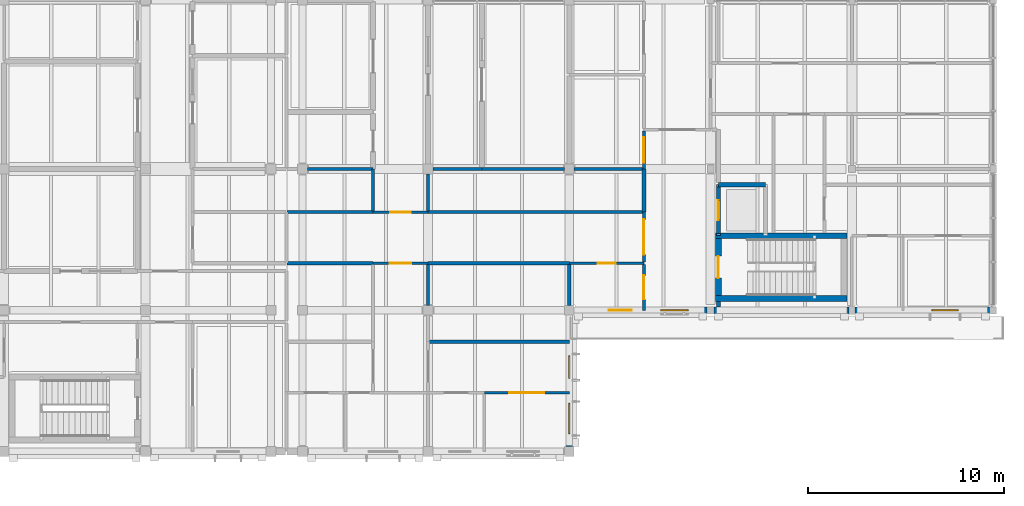
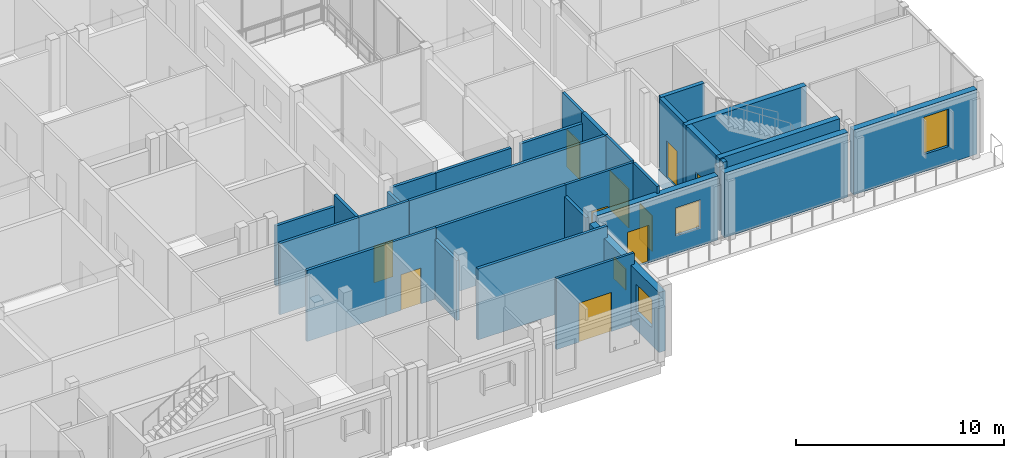
# One storey, part 118 of 146: 32 walls, 10 doors, 4 windows, 14 openings.
"""IFC4 building model written with IfcOpenShell, lengths in metres."""

from ifc_helpers import new_model, si_unit, direction, frame, frame_2d, origin, place, context, subcontext, project, spatial, rectangle, extrude, material, layer, layer_set, type_object, element, fill, save


model = new_model("IFC4")

# Units and contexts
model_context = context("Model", 3, precision=1e-05, world=origin(), true_north=direction((0.0, 1.0)))
body_context = subcontext(model_context, "Body", "Model", "MODEL_VIEW")
ifc_project = project(units=[si_unit("LENGTHUNIT", "METRE"), si_unit("AREAUNIT", "SQUARE_METRE"), si_unit("VOLUMEUNIT", "CUBIC_METRE"), si_unit("PLANEANGLEUNIT", "RADIAN"), si_unit("MASSUNIT", "GRAM", prefix="KILO")], contexts=[model_context])

# Site, building, storey
site_placement = place(None, origin())
site = spatial("IfcSite", under=ifc_project, at=site_placement, CompositionType="ELEMENT")
building_placement = place(site_placement, origin())
building = spatial("IfcBuilding", under=site, at=building_placement, Name="Hawrajan Terrace Health Centre", CompositionType="ELEMENT")
storey_placement = place(building_placement, frame((0.0, 0.0, 4.5)))
storey = spatial("IfcBuildingStorey", under=building, at=storey_placement, Name="L01", CompositionType="ELEMENT", Elevation=4.5)

# Wall, opening, door
ifc_material_1 = material(Name="Gypsum board on acoustic stud framing")
ifc_layer_1 = layer(ifc_material_1, 0.139892578125)
ifc_layer_set_1 = layer_set([ifc_layer_1], Name="Gypsum board on acoustic stud framing")
wall_type_1 = type_object("IfcWallType", Name="ClinicalAcousticWall_140", PredefinedType="PARTITIONING", material=ifc_layer_set_1)
wall_1_placement = place(storey_placement, frame((133.800048828125, 13.800048828125, 0.0), z_axis=(0.0, 0.0, 1.0), x_axis=(1.0, 0.0, 0.0)))
wall_1 = element("IfcWall", 1, at=wall_1_placement, inside=storey, type_object=wall_type_1, Name="Interior wall IW-L01-0761", PredefinedType="PARTITIONING", context=body_context, shape_type="SweptSolid", body=[
    extrude(rectangle(XDim=2.800048828125, YDim=0.139892578125, at=frame_2d((1.39990234375, 0.0))), origin(), (0.0, 0.0, 1.0), 4.179931640625),
])
opening_1_placement = place(wall_1_placement, frame((0.85009765625, 0.0, 0.0)))
opening_1 = element("IfcOpeningElement", 2, at=opening_1_placement, cuts=wall_1, Name="Opening D-L01-276", PredefinedType="OPENING", context=body_context, shape_type="SweptSolid", body=[
    extrude(rectangle(XDim=1.10009765625, YDim=2.10009765625, at=frame_2d((0.550048828125, 1.050048828125))), frame((0.0, 0.079833984375, 0.0), z_axis=(0.0, -1.0, 0.0), x_axis=(1.0, 0.0, 0.0)), (0.0, 0.0, 1.0), 0.159912109375),
])
ifc_material_2 = material(Name="Hardwood acoustic clinical door leaf and frame", Category="wood")
door_type_1 = type_object("IfcDoorType", Name="ConsultDoor_1100x2100", OperationType="NOTDEFINED", PredefinedType="DOOR", material=ifc_material_2)
door_1_placement = place(opening_1_placement, origin())
door_1 = element("IfcDoor", 3, at=door_1_placement, inside=storey, type_object=door_type_1, Name="Interior door D-L01-276", OperationType="SINGLE_SWING_RIGHT", OverallHeight=2.10009765625, OverallWidth=1.10009765625, PredefinedType="DOOR", context=body_context, shape_type="SweptSolid", body=[
    extrude(rectangle(XDim=1.10009765625, YDim=2.10009765625, at=frame_2d((0.550048828125, 1.050048828125))), frame((0.0, 0.02490234375, 0.0), z_axis=(0.0, -1.0, 0.0), x_axis=(1.0, 0.0, 0.0)), (0.0, 0.0, 1.0), 0.050048828125),
])
fill(opening_1, door_1)

wall_2_placement = place(storey_placement, frame((133.800048828125, 16.39990234375, 0.0), z_axis=(0.0, 0.0, 1.0), x_axis=(1.0, 0.0, 0.0)))
wall_2 = element("IfcWall", 4, at=wall_2_placement, inside=storey, type_object=wall_type_1, Name="Interior wall IW-L01-0762", PredefinedType="PARTITIONING", context=body_context, shape_type="SweptSolid", body=[
    extrude(rectangle(XDim=2.800048828125, YDim=0.139892578125, at=frame_2d((1.39990234375, 0.0))), origin(), (0.0, 0.0, 1.0), 4.179931640625),
])
opening_2_placement = place(wall_2_placement, frame((0.8701171875, 0.0, 0.0)))
opening_2 = element("IfcOpeningElement", 5, at=opening_2_placement, cuts=wall_2, Name="Opening D-L01-277", PredefinedType="OPENING", context=body_context, shape_type="SweptSolid", body=[
    extrude(rectangle(XDim=1.06005859375, YDim=2.14990234375, at=frame_2d((0.530029296875, 1.074951171875))), frame((0.0, 0.079833984375, 0.0), z_axis=(0.0, -1.0, 0.0), x_axis=(1.0, 0.0, 0.0)), (0.0, 0.0, 1.0), 0.159912109375),
])
door_type_2 = type_object("IfcDoorType", Name="MentalHealthDoor_1060x2150", OperationType="NOTDEFINED", PredefinedType="DOOR", material=ifc_material_2)
door_2_placement = place(opening_2_placement, origin())
door_2 = element("IfcDoor", 6, at=door_2_placement, inside=storey, type_object=door_type_2, Name="Interior door D-L01-277", OperationType="SINGLE_SWING_LEFT", OverallHeight=2.14990234375, OverallWidth=1.06005859375, PredefinedType="DOOR", context=body_context, shape_type="SweptSolid", body=[
    extrude(rectangle(XDim=1.06005859375, YDim=2.14990234375, at=frame_2d((0.530029296875, 1.074951171875))), frame((0.0, 0.02490234375, 0.0), z_axis=(0.0, -1.0, 0.0), x_axis=(1.0, 0.0, 0.0)), (0.0, 0.0, 1.0), 0.050048828125),
])
fill(opening_2, door_2)

wall_3_placement = place(storey_placement, frame((139.466064453125, 7.199951171875, 0.0), z_axis=(0.0, 0.0, 1.0), x_axis=(1.0, 0.0, 0.0)))
wall_3 = element("IfcWall", 7, at=wall_3_placement, inside=storey, type_object=wall_type_1, Name="Interior wall IW-L01-0788", PredefinedType="PARTITIONING", context=body_context, shape_type="SweptSolid", body=[
    extrude(rectangle(XDim=4.333984375, YDim=0.139892578125, at=frame_2d((2.1669921875, 0.0))), origin(), (0.0, 0.0, 1.0), 4.179931640625),
])
opening_3_placement = place(wall_3_placement, frame((1.26708984375, 0.0, 0.0)))
opening_3 = element("IfcOpeningElement", 8, at=opening_3_placement, cuts=wall_3, Name="Opening D-L01-404", PredefinedType="OPENING", context=body_context, shape_type="SweptSolid", body=[
    extrude(rectangle(XDim=1.800048828125, YDim=2.300048828125, at=frame_2d((0.89990234375, 1.14990234375))), frame((0.0, 0.079833984375, 0.0), z_axis=(0.0, -1.0, 0.0), x_axis=(1.0, 0.0, 0.0)), (0.0, 0.0, 1.0), 0.159912109375),
])
door_type_3 = type_object("IfcDoorType", Name="EducationHallDoor_1800x2300", OperationType="DOUBLE_DOOR_SINGLE_SWING", PredefinedType="DOOR", material=ifc_material_2)
door_3_placement = place(opening_3_placement, origin())
door_3 = element("IfcDoor", 9, at=door_3_placement, inside=storey, type_object=door_type_3, Name="Interior door D-L01-404", OperationType="DOUBLE_DOOR_SINGLE_SWING", OverallHeight=2.300048828125, OverallWidth=1.800048828125, PredefinedType="DOOR", context=body_context, shape_type="SweptSolid", body=[
    extrude(rectangle(XDim=1.800048828125, YDim=2.300048828125, at=frame_2d((0.89990234375, 1.14990234375))), frame((0.0, 0.02490234375, 0.0), z_axis=(0.0, -1.0, 0.0), x_axis=(1.0, 0.0, 0.0)), (0.0, 0.0, 1.0), 0.050048828125),
])
fill(opening_3, door_3)

wall_4_placement = place(storey_placement, frame((143.800048828125, 13.800048828125, 0.0), z_axis=(0.0, 0.0, 1.0), x_axis=(1.0, 0.0, 0.0)))
wall_4 = element("IfcWall", 10, at=wall_4_placement, inside=storey, type_object=wall_type_1, Name="Interior wall IW-L01-0794", PredefinedType="PARTITIONING", context=body_context, shape_type="SweptSolid", body=[
    extrude(rectangle(XDim=3.800048828125, YDim=0.139892578125, at=frame_2d((1.89990234375, 0.0))), origin(), (0.0, 0.0, 1.0), 4.179931640625),
])
opening_4_placement = place(wall_4_placement, frame((1.43994140625, 0.0, 0.0)))
opening_4 = element("IfcOpeningElement", 11, at=opening_4_placement, cuts=wall_4, Name="Opening D-L01-275", PredefinedType="OPENING", context=body_context, shape_type="SweptSolid", body=[
    extrude(rectangle(XDim=0.919921875, YDim=2.10009765625, at=frame_2d((0.4599609375, 1.050048828125))), frame((0.0, 0.079833984375, 0.0), z_axis=(0.0, -1.0, 0.0), x_axis=(1.0, 0.0, 0.0)), (0.0, 0.0, 1.0), 0.159912109375),
])
door_type_4 = type_object("IfcDoorType", Name="StaffOfficeDoor_920x2100", OperationType="NOTDEFINED", PredefinedType="DOOR", material=ifc_material_2)
door_4_placement = place(opening_4_placement, origin())
door_4 = element("IfcDoor", 12, at=door_4_placement, inside=storey, type_object=door_type_4, Name="Interior door D-L01-275", OperationType="SINGLE_SWING_LEFT", OverallHeight=2.10009765625, OverallWidth=0.919921875, PredefinedType="DOOR", context=body_context, shape_type="SweptSolid", body=[
    extrude(rectangle(XDim=0.919921875, YDim=2.10009765625, at=frame_2d((0.4599609375, 1.050048828125))), frame((0.0, 0.02490234375, 0.0), z_axis=(0.0, -1.0, 0.0), x_axis=(1.0, 0.0, 0.0)), (0.0, 0.0, 1.0), 0.050048828125),
])
fill(opening_4, door_4)

wall_5_placement = place(storey_placement, frame((147.60009765625, 11.39990234375, 0.0), z_axis=(0.0, 0.0, 1.0), x_axis=(0.0, 1.0, 0.0)))
wall_5 = element("IfcWall", 13, at=wall_5_placement, inside=storey, type_object=wall_type_1, Name="Interior wall IW-L01-0805", PredefinedType="PARTITIONING", context=body_context, shape_type="SweptSolid", body=[
    extrude(rectangle(XDim=2.330078125, YDim=0.139892578125, at=frame_2d((1.1650390625, 0.0))), origin(), (0.0, 0.0, 1.0), 4.179931640625),
])
opening_5_placement = place(wall_5_placement, frame((0.554931640625, 0.0, 0.0)))
opening_5 = element("IfcOpeningElement", 14, at=opening_5_placement, cuts=wall_5, Name="Opening D-L01-255", PredefinedType="OPENING", context=body_context, shape_type="SweptSolid", body=[
    extrude(rectangle(XDim=1.219970703125, YDim=2.10009765625, at=frame_2d((0.60986328125, 1.050048828125))), frame((0.0, 0.079833984375, 0.0), z_axis=(0.0, -1.0, 0.0), x_axis=(1.0, 0.0, 0.0)), (0.0, 0.0, 1.0), 0.159912109375),
])
door_type_5 = type_object("IfcDoorType", Name="ConsultDoor_1220x2100", OperationType="NOTDEFINED", PredefinedType="DOOR", material=ifc_material_2)
door_5_placement = place(opening_5_placement, origin())
door_5 = element("IfcDoor", 15, at=door_5_placement, inside=storey, type_object=door_type_5, Name="Interior door D-L01-255", OperationType="SINGLE_SWING_LEFT", OverallHeight=2.10009765625, OverallWidth=1.219970703125, PredefinedType="DOOR", context=body_context, shape_type="SweptSolid", body=[
    extrude(rectangle(XDim=1.219970703125, YDim=2.10009765625, at=frame_2d((0.60986328125, 1.050048828125))), frame((0.0, 0.02490234375, 0.0), z_axis=(0.0, -1.0, 0.0), x_axis=(1.0, 0.0, 0.0)), (0.0, 0.0, 1.0), 0.050048828125),
])
fill(opening_5, door_5)

wall_6_placement = place(storey_placement, frame((147.60009765625, 13.8701171875, 0.0), z_axis=(0.0, 0.0, 1.0), x_axis=(0.0, 1.0, 0.0)))
wall_6 = element("IfcWall", 16, at=wall_6_placement, inside=storey, type_object=wall_type_1, Name="Interior wall IW-L01-0806", PredefinedType="PARTITIONING", context=body_context, shape_type="SweptSolid", body=[
    extrude(rectangle(XDim=2.52978515625, YDim=0.139892578125, at=frame_2d((1.264892578125, 0.0))), origin(), (0.0, 0.0, 1.0), 4.179931640625),
])
opening_6_placement = place(wall_6_placement, frame((0.364990234375, 0.0, 0.0)))
opening_6 = element("IfcOpeningElement", 17, at=opening_6_placement, cuts=wall_6, Name="Opening D-L01-253", PredefinedType="OPENING", context=body_context, shape_type="SweptSolid", body=[
    extrude(rectangle(XDim=1.800048828125, YDim=2.300048828125, at=frame_2d((0.89990234375, 1.14990234375))), frame((0.0, 0.079833984375, 0.0), z_axis=(0.0, -1.0, 0.0), x_axis=(1.0, 0.0, 0.0)), (0.0, 0.0, 1.0), 0.159912109375),
])
door_6_placement = place(opening_6_placement, origin())
door_6 = element("IfcDoor", 18, at=door_6_placement, inside=storey, type_object=door_type_3, Name="Interior door D-L01-253", OperationType="DOUBLE_DOOR_SINGLE_SWING", OverallHeight=2.300048828125, OverallWidth=1.800048828125, PredefinedType="DOOR", context=body_context, shape_type="SweptSolid", body=[
    extrude(rectangle(XDim=1.800048828125, YDim=2.300048828125, at=frame_2d((0.89990234375, 1.14990234375))), frame((0.0, 0.02490234375, 0.0), z_axis=(0.0, -1.0, 0.0), x_axis=(1.0, 0.0, 0.0)), (0.0, 0.0, 1.0), 0.050048828125),
])
fill(opening_6, door_6)

wall_7_placement = place(storey_placement, frame((147.60009765625, 18.60009765625, 0.0), z_axis=(0.0, 0.0, 1.0), x_axis=(0.0, 1.0, 0.0)))
wall_7 = element("IfcWall", 19, at=wall_7_placement, inside=storey, type_object=wall_type_1, Name="Interior wall IW-L01-0807", PredefinedType="PARTITIONING", context=body_context, shape_type="SweptSolid", body=[
    extrude(rectangle(XDim=1.929931640625, YDim=0.139892578125, at=frame_2d((0.96484375, 0.0))), origin(), (0.0, 0.0, 1.0), 4.179931640625),
])
opening_7_placement = place(wall_7_placement, frame((0.324951171875, 0.0, 0.0)))
opening_7 = element("IfcOpeningElement", 20, at=opening_7_placement, cuts=wall_7, Name="Opening D-L01-413", PredefinedType="OPENING", context=body_context, shape_type="SweptSolid", body=[
    extrude(rectangle(XDim=1.280029296875, YDim=2.199951171875, at=frame_2d((0.64013671875, 1.10009765625))), frame((0.0, 0.079833984375, 0.0), z_axis=(0.0, -1.0, 0.0), x_axis=(1.0, 0.0, 0.0)), (0.0, 0.0, 1.0), 0.159912109375),
])
door_type_6 = type_object("IfcDoorType", Name="ExamSuiteDoor_1280x2200", OperationType="NOTDEFINED", PredefinedType="DOOR", material=ifc_material_2)
door_7_placement = place(opening_7_placement, origin())
door_7 = element("IfcDoor", 21, at=door_7_placement, inside=storey, type_object=door_type_6, Name="Interior door D-L01-413", OperationType="SINGLE_SWING_LEFT", OverallHeight=2.199951171875, OverallWidth=1.280029296875, PredefinedType="DOOR", context=body_context, shape_type="SweptSolid", body=[
    extrude(rectangle(XDim=1.280029296875, YDim=2.199951171875, at=frame_2d((0.64013671875, 1.10009765625))), frame((0.0, 0.02490234375, 0.0), z_axis=(0.0, -1.0, 0.0), x_axis=(1.0, 0.0, 0.0)), (0.0, 0.0, 1.0), 0.050048828125),
])
fill(opening_7, door_7)

# Wall, openings, window, door
ifc_material_3 = material(Name="Precast concrete C40/50", Category="concrete")
ifc_layer_2 = layer(ifc_material_3, 0.340087890625)
ifc_layer_set_2 = layer_set([ifc_layer_2], Name="Precast concrete C40/50")
wall_type_2 = type_object("IfcWallType", Name="CoralAshlarWall_340", PredefinedType="SOLIDWALL", material=ifc_layer_set_2)
wall_8_placement = place(storey_placement, frame((144.050048828125, 11.39990234375, 0.0), z_axis=(0.0, 0.0, 1.0), x_axis=(1.0, 0.0, 0.0)))
wall_8 = element("IfcWall", 22, at=wall_8_placement, inside=storey, type_object=wall_type_2, Name="Exterior wall EW-L01-H18-01-1", PredefinedType="SOLIDWALL", context=body_context, shape_type="SweptSolid", body=[
    extrude(rectangle(XDim=6.77001953125, YDim=0.340087890625, at=frame_2d((3.385009765625, 0.0))), origin(), (0.0, 0.0, 1.0), 3.760009765625),
])
opening_8_placement = place(wall_8_placement, frame((1.75, 0.0, 0.0)))
opening_8 = element("IfcOpeningElement", 23, at=opening_8_placement, cuts=wall_8, Name="Opening D-L01-E016", PredefinedType="OPENING", context=body_context, shape_type="SweptSolid", body=[
    extrude(rectangle(XDim=1.179931640625, YDim=2.199951171875, at=frame_2d((0.58984375, 1.10009765625))), frame((0.0, 0.179931640625, 0.0), z_axis=(0.0, -1.0, 0.0), x_axis=(1.0, 0.0, 0.0)), (0.0, 0.0, 1.0), 0.360107421875),
])
opening_9_placement = place(wall_8_placement, frame((4.39990234375, 0.0, 1.050048828125)))
opening_9 = element("IfcOpeningElement", 24, at=opening_9_placement, cuts=wall_8, Name="Opening W-L01-102", PredefinedType="OPENING", context=body_context, shape_type="SweptSolid", body=[
    extrude(rectangle(XDim=1.39990234375, YDim=1.64990234375, at=frame_2d((0.699951171875, 0.824951171875))), frame((0.0, 0.179931640625, 0.0), z_axis=(0.0, -1.0, 0.0), x_axis=(1.0, 0.0, 0.0)), (0.0, 0.0, 1.0), 0.360107421875),
])
ifc_material_4 = material(Name="Anodized bronze frame with double low-E glazing", Category="glass")
window_type_1 = type_object("IfcWindowType", Name="FacadeWindow_1400x1650", PartitioningType="SINGLE_PANEL", PredefinedType="WINDOW", material=ifc_material_4)
window_1_placement = place(opening_9_placement, origin())
window_1 = element("IfcWindow", 25, at=window_1_placement, inside=storey, type_object=window_type_1, Name="Window W-L01-102", OverallHeight=1.64990234375, OverallWidth=1.39990234375, PartitioningType="SINGLE_PANEL", PredefinedType="WINDOW", context=body_context, shape_type="SweptSolid", body=[
    extrude(rectangle(XDim=1.39990234375, YDim=1.64990234375, at=frame_2d((0.699951171875, 0.824951171875))), frame((0.0, 0.030029296875, 0.0), z_axis=(0.0, -1.0, 0.0), x_axis=(1.0, 0.0, 0.0)), (0.0, 0.0, 1.0), 0.06005859375),
])
fill(opening_9, window_1)
ifc_material_5 = material(Name="Anodized bronze thermally broken fire-rated glazed door")
door_type_7 = type_object("IfcDoorType", Name="GardenExitDoor_1180x2200", OperationType="NOTDEFINED", PredefinedType="DOOR", material=ifc_material_5)
door_8_placement = place(opening_8_placement, frame((1.179931640625, 0.0, 0.0), z_axis=(0.0, 0.0, 1.0), x_axis=(-1.0, 0.0, 0.0)))
door_8 = element("IfcDoor", 26, at=door_8_placement, inside=storey, type_object=door_type_7, Name="Pavilion South Garden Exit Door D-L01-E016", OperationType="SINGLE_SWING_RIGHT", OverallHeight=2.199951171875, OverallWidth=1.179931640625, PredefinedType="DOOR", context=body_context, shape_type="SweptSolid", body=[
    extrude(rectangle(XDim=1.179931640625, YDim=2.199951171875, at=frame_2d((0.58984375, 1.10009765625))), frame((0.0, 0.02490234375, 0.0), z_axis=(0.0, -1.0, 0.0), x_axis=(1.0, 0.0, 0.0)), (0.0, 0.0, 1.0), 0.050048828125),
])
fill(opening_8, door_8)

# Wall, opening, window
wall_9_placement = place(storey_placement, frame((158.360107421875, 11.39990234375, 0.0), z_axis=(0.0, 0.0, 1.0), x_axis=(1.0, 0.0, 0.0)))
wall_9 = element("IfcWall", 27, at=wall_9_placement, inside=storey, type_object=wall_type_2, Name="Exterior wall EW-L01-H20-01-1", PredefinedType="SOLIDWALL", context=body_context, shape_type="SweptSolid", body=[
    extrude(rectangle(XDim=6.85986328125, YDim=0.340087890625, at=frame_2d((3.429931640625, 0.0))), origin(), (0.0, 0.0, 1.0), 3.800048828125),
])
opening_10_placement = place(wall_9_placement, frame((3.9150390625, 0.0, 1.0)))
opening_10 = element("IfcOpeningElement", 28, at=opening_10_placement, cuts=wall_9, Name="Opening W-L01-107", PredefinedType="OPENING", context=body_context, shape_type="SweptSolid", body=[
    extrude(rectangle(XDim=1.35009765625, YDim=2.199951171875, at=frame_2d((0.675048828125, 1.10009765625))), frame((0.0, 0.179931640625, 0.0), z_axis=(0.0, -1.0, 0.0), x_axis=(1.0, 0.0, 0.0)), (0.0, 0.0, 1.0), 0.360107421875),
])
window_type_2 = type_object("IfcWindowType", Name="FacadeWindow_1350x2200", PartitioningType="SINGLE_PANEL", PredefinedType="WINDOW", material=ifc_material_4)
window_2_placement = place(opening_10_placement, origin())
window_2 = element("IfcWindow", 29, at=window_2_placement, inside=storey, type_object=window_type_2, Name="Window W-L01-107", OverallHeight=2.199951171875, OverallWidth=1.35009765625, PartitioningType="SINGLE_PANEL", PredefinedType="WINDOW", context=body_context, shape_type="SweptSolid", body=[
    extrude(rectangle(XDim=1.35009765625, YDim=2.199951171875, at=frame_2d((0.675048828125, 1.10009765625))), frame((0.0, 0.030029296875, 0.0), z_axis=(0.0, -1.0, 0.0), x_axis=(1.0, 0.0, 0.0)), (0.0, 0.0, 1.0), 0.06005859375),
])
fill(opening_10, window_2)

# Wall, openings, windows
ifc_layer_3 = layer(ifc_material_3, 0.360107421875)
ifc_layer_set_3 = layer_set([ifc_layer_3], Name="Precast concrete C40/50")
wall_type_3 = type_object("IfcWallType", Name="CoralPodiumWall_360", PredefinedType="SOLIDWALL", material=ifc_layer_set_3)
wall_10_placement = place(storey_placement, frame((143.800048828125, 4.449951171875, 0.0), z_axis=(0.0, 0.0, 1.0), x_axis=(0.0, 1.0, 0.0)))
wall_10 = element("IfcWall", 30, at=wall_10_placement, inside=storey, type_object=wall_type_3, Name="Exterior wall EW-L01-V18-00-1", PredefinedType="SOLIDWALL", context=body_context, shape_type="SweptSolid", body=[
    extrude(rectangle(XDim=6.699951171875, YDim=0.360107421875, at=frame_2d((3.35009765625, 0.0))), origin(), (0.0, 0.0, 1.0), 3.52001953125),
])
opening_11_placement = place(wall_10_placement, frame((0.6650390625, 0.0, 1.050048828125)))
opening_11 = element("IfcOpeningElement", 31, at=opening_11_placement, cuts=wall_10, Name="Opening W-L01-097", PredefinedType="OPENING", context=body_context, shape_type="SweptSolid", body=[
    extrude(rectangle(XDim=1.5400390625, YDim=1.64990234375, at=frame_2d((0.77001953125, 0.824951171875))), frame((0.0, 0.18994140625, 0.0), z_axis=(0.0, -1.0, 0.0), x_axis=(1.0, 0.0, 0.0)), (0.0, 0.0, 1.0), 0.380126953125),
])
opening_12_placement = place(wall_10_placement, frame((3.47509765625, 0.0, 1.5)))
opening_12 = element("IfcOpeningElement", 32, at=opening_12_placement, cuts=wall_10, Name="Opening W-L01-098", PredefinedType="OPENING", context=body_context, shape_type="SweptSolid", body=[
    extrude(rectangle(XDim=1.14990234375, YDim=1.25, at=frame_2d((0.574951171875, 0.625))), frame((0.0, 0.18994140625, 0.0), z_axis=(0.0, -1.0, 0.0), x_axis=(1.0, 0.0, 0.0)), (0.0, 0.0, 1.0), 0.380126953125),
])
window_type_3 = type_object("IfcWindowType", Name="FacadeWindow_1150x1250", PartitioningType="SINGLE_PANEL", PredefinedType="WINDOW", material=ifc_material_4)
window_3_placement = place(opening_12_placement, origin())
window_3 = element("IfcWindow", 33, at=window_3_placement, inside=storey, type_object=window_type_3, Name="Window W-L01-098", OverallHeight=1.25, OverallWidth=1.14990234375, PartitioningType="SINGLE_PANEL", PredefinedType="WINDOW", context=body_context, shape_type="SweptSolid", body=[
    extrude(rectangle(XDim=1.14990234375, YDim=1.25, at=frame_2d((0.574951171875, 0.625))), frame((0.0, 0.030029296875, 0.0), z_axis=(0.0, -1.0, 0.0), x_axis=(1.0, 0.0, 0.0)), (0.0, 0.0, 1.0), 0.06005859375),
])
fill(opening_12, window_3)
window_type_4 = type_object("IfcWindowType", Name="FacadeWindow_1540x1650", PartitioningType="DOUBLE_PANEL_VERTICAL", PredefinedType="WINDOW", material=ifc_material_4)
window_4_placement = place(opening_11_placement, origin())
window_4 = element("IfcWindow", 34, at=window_4_placement, inside=storey, type_object=window_type_4, Name="Window W-L01-097", OverallHeight=1.64990234375, OverallWidth=1.5400390625, PartitioningType="DOUBLE_PANEL_VERTICAL", PredefinedType="WINDOW", context=body_context, shape_type="SweptSolid", body=[
    extrude(rectangle(XDim=1.5400390625, YDim=1.64990234375, at=frame_2d((0.77001953125, 0.824951171875))), frame((0.0, 0.030029296875, 0.0), z_axis=(0.0, -1.0, 0.0), x_axis=(1.0, 0.0, 0.0)), (0.0, 0.0, 1.0), 0.06005859375),
])
fill(opening_11, window_4)

# Walls
wall_11_placement = place(storey_placement, frame((151.179931640625, 11.39990234375, 0.0), z_axis=(0.0, 0.0, 1.0), x_axis=(1.0, 0.0, 0.0)))
element("IfcWall", 35, at=wall_11_placement, inside=storey, type_object=wall_type_3, Name="Exterior wall EW-L01-H19-01-1", PredefinedType="SOLIDWALL", context=body_context, shape_type="SweptSolid", body=[
    extrude(rectangle(XDim=6.860107421875, YDim=0.360107421875, at=frame_2d((3.43017578125, 0.0))), origin(), (0.0, 0.0, 1.0), 3.800048828125),
])
ifc_material_6 = material(Name="Concrete C40/50", Category="concrete")
ifc_layer_4 = layer(ifc_material_6, 0.300048828125)
ifc_layer_set_4 = layer_set([ifc_layer_4], Name="Concrete C40/50")
wall_type_4 = type_object("IfcWallType", Name="CoreShearWall_RC300", PredefinedType="SHEAR", material=ifc_layer_set_4)
for number, where, z_axis, x_axis, name in (
    (36, (151.25, 12.0, 0.0), (0.0, 0.0, 1.0), (1.0, 0.0, 0.0), "Core shear wall SW-S8-L01-S"),
    (37, (151.25, 15.199951171875, 0.0), (0.0, 0.0, 1.0), (1.0, 0.0, 0.0), "Core shear wall SW-S8-L01-N"),
):
    element("IfcWall", number, at=place(storey_placement, frame(where, z_axis=z_axis, x_axis=x_axis)), inside=storey, type_object=wall_type_4, Name=name, PredefinedType="SHEAR", context=body_context, shape_type="SweptSolid", body=[
        extrude(rectangle(XDim=6.699951171875, YDim=0.300048828125, at=frame_2d((3.35009765625, 0.0))), origin(), (0.0, 0.0, 1.0), 4.25),
    ])

# Wall, opening, door
wall_12_placement = place(storey_placement, frame((151.39990234375, 12.14990234375, 0.0), z_axis=(0.0, 0.0, 1.0), x_axis=(0.0, 1.0, 0.0)))
wall_12 = element("IfcWall", 38, at=wall_12_placement, inside=storey, type_object=wall_type_4, Name="Core shear wall SW-S8-L01-W", PredefinedType="SHEAR", context=body_context, shape_type="SweptSolid", body=[
    extrude(rectangle(XDim=2.900146484375, YDim=0.300048828125, at=frame_2d((1.4501953125, 0.0))), origin(), (0.0, 0.0, 1.0), 4.25),
])
opening_13_placement = place(wall_12_placement, frame((0.889892578125, 0.0, 0.0)))
opening_13 = element("IfcOpeningElement", 39, at=opening_13_placement, cuts=wall_12, Name="Opening D-L01-246", PredefinedType="OPENING", context=body_context, shape_type="SweptSolid", body=[
    extrude(rectangle(XDim=1.1201171875, YDim=2.10009765625, at=frame_2d((0.56005859375, 1.050048828125))), frame((0.0, 0.159912109375, 0.0), z_axis=(0.0, -1.0, 0.0), x_axis=(1.0, 0.0, 0.0)), (0.0, 0.0, 1.0), 0.320068359375),
])
ifc_material_7 = material(Name="Timber-veneered acoustic fire-resisting door assembly", Category="wood")
door_type_8 = type_object("IfcDoorType", Name="CoreStairDoor_1120x2100", OperationType="NOTDEFINED", PredefinedType="DOOR", material=ifc_material_7)
door_9_placement = place(opening_13_placement, origin())
door_9 = element("IfcDoor", 40, at=door_9_placement, inside=storey, type_object=door_type_8, Name="Interior door D-L01-246", OperationType="SINGLE_SWING_RIGHT", OverallHeight=2.10009765625, OverallWidth=1.1201171875, PredefinedType="DOOR", context=body_context, shape_type="SweptSolid", body=[
    extrude(rectangle(XDim=1.1201171875, YDim=2.10009765625, at=frame_2d((0.56005859375, 1.050048828125))), frame((0.0, 0.02490234375, 0.0), z_axis=(0.0, -1.0, 0.0), x_axis=(1.0, 0.0, 0.0)), (0.0, 0.0, 1.0), 0.050048828125),
])
fill(opening_13, door_9)

# Walls
ifc_layer_5 = layer(ifc_material_1, 0.159912109375)
ifc_layer_set_5 = layer_set([ifc_layer_5], Name="Gypsum board on acoustic stud framing")
wall_type_5 = type_object("IfcWallType", Name="CorridorFireWall_160", PredefinedType="PARTITIONING", material=ifc_layer_set_5)
wall_13_placement = place(storey_placement, frame((129.405029296875, 13.800048828125, 0.0), z_axis=(0.0, 0.0, 1.0), x_axis=(1.0, 0.0, 0.0)))
element("IfcWall", 41, at=wall_13_placement, inside=storey, type_object=wall_type_5, Name="Interior wall IW-L01-0876", PredefinedType="PARTITIONING", context=body_context, shape_type="SweptSolid", body=[
    extrude(rectangle(XDim=4.39501953125, YDim=0.159912109375, at=frame_2d((2.197509765625, 0.0))), origin(), (0.0, 0.0, 1.0), 4.179931640625),
])
wall_14_placement = place(storey_placement, frame((136.60009765625, 13.800048828125, 0.0), z_axis=(0.0, 0.0, 1.0), x_axis=(1.0, 0.0, 0.0)))
element("IfcWall", 42, at=wall_14_placement, inside=storey, type_object=wall_type_5, Name="Interior wall IW-L01-0877", PredefinedType="PARTITIONING", context=body_context, shape_type="SweptSolid", body=[
    extrude(rectangle(XDim=7.199951171875, YDim=0.159912109375, at=frame_2d((3.60009765625, 0.0))), origin(), (0.0, 0.0, 1.0), 4.179931640625),
])
wall_15_placement = place(storey_placement, frame((147.60009765625, 16.39990234375, 0.0), z_axis=(0.0, 0.0, 1.0), x_axis=(-1.0, 0.0, 0.0)))
element("IfcWall", 43, at=wall_15_placement, inside=storey, type_object=wall_type_5, Name="Interior wall IW-L01-0878", PredefinedType="PARTITIONING", context=body_context, shape_type="SweptSolid", body=[
    extrude(rectangle(XDim=11.0, YDim=0.159912109375, at=frame_2d((5.5, 0.0))), origin(), (0.0, 0.0, 1.0), 4.179931640625),
])
wall_16_placement = place(storey_placement, frame((133.800048828125, 16.39990234375, 0.0), z_axis=(0.0, 0.0, 1.0), x_axis=(-1.0, 0.0, 0.0)))
element("IfcWall", 44, at=wall_16_placement, inside=storey, type_object=wall_type_5, Name="Interior wall IW-L01-0879", PredefinedType="PARTITIONING", context=body_context, shape_type="SweptSolid", body=[
    extrude(rectangle(XDim=4.39501953125, YDim=0.159912109375, at=frame_2d((2.197509765625, 0.0))), origin(), (0.0, 0.0, 1.0), 4.179931640625),
])
for number, where, z_axis, x_axis, name in (
    (45, (143.800048828125, 11.64990234375, 0.0), (0.0, 0.0, 1.0), (0.0, 1.0, 0.0), "Interior wall IW-L01-0880"),
    (46, (136.60009765625, 11.64990234375, 0.0), (0.0, 0.0, 1.0), (0.0, 1.0, 0.0), "Interior wall IW-L01-0907"),
):
    element("IfcWall", number, at=place(storey_placement, frame(where, z_axis=z_axis, x_axis=x_axis)), inside=storey, type_object=wall_type_5, Name=name, PredefinedType="PARTITIONING", context=body_context, shape_type="SweptSolid", body=[
        extrude(rectangle(XDim=2.080078125, YDim=0.159912109375, at=frame_2d((1.0400390625, 0.0))), origin(), (0.0, 0.0, 1.0), 3.52001953125),
    ])
wall_17_placement = place(storey_placement, frame((136.60009765625, 16.469970703125, 0.0), z_axis=(0.0, 0.0, 1.0), x_axis=(0.0, 1.0, 0.0)))
element("IfcWall", 47, at=wall_17_placement, inside=storey, type_object=wall_type_5, Name="Interior wall IW-L01-0909", PredefinedType="PARTITIONING", context=body_context, shape_type="SweptSolid", body=[
    extrude(rectangle(XDim=1.880126953125, YDim=0.159912109375, at=frame_2d((0.93994140625, 0.0))), origin(), (0.0, 0.0, 1.0), 3.52001953125),
])
wall_18_placement = place(storey_placement, frame((133.800048828125, 16.469970703125, 0.0), z_axis=(0.0, 0.0, 1.0), x_axis=(0.0, 1.0, 0.0)))
element("IfcWall", 48, at=wall_18_placement, inside=storey, type_object=wall_type_5, Name="Interior wall IW-L01-0911", PredefinedType="PARTITIONING", context=body_context, shape_type="SweptSolid", body=[
    extrude(rectangle(XDim=2.130126953125, YDim=0.159912109375, at=frame_2d((1.06494140625, 0.0))), origin(), (0.0, 0.0, 1.0), 4.179931640625),
])
wall_19_placement = place(storey_placement, frame((143.800048828125, 9.800048828125, 0.0), z_axis=(0.0, 0.0, 1.0), x_axis=(-1.0, 0.0, 0.0)))
element("IfcWall", 49, at=wall_19_placement, inside=storey, type_object=wall_type_5, Name="Interior wall IW-L01-0916", PredefinedType="PARTITIONING", context=body_context, shape_type="SweptSolid", body=[
    extrude(rectangle(XDim=7.199951171875, YDim=0.159912109375, at=frame_2d((3.60009765625, 0.0))), origin(), (0.0, 0.0, 1.0), 4.179931640625),
])
wall_20_placement = place(storey_placement, frame((130.449951171875, 18.60009765625, 0.0), z_axis=(0.0, 0.0, 1.0), x_axis=(1.0, 0.0, 0.0)))
element("IfcWall", 50, at=wall_20_placement, inside=storey, type_object=wall_type_5, Name="Interior wall IW-L01-0964", PredefinedType="PARTITIONING", context=body_context, shape_type="SweptSolid", body=[
    extrude(rectangle(XDim=3.35009765625, YDim=0.159912109375, at=frame_2d((1.675048828125, 0.0))), origin(), (0.0, 0.0, 1.0), 3.52001953125),
])
wall_21_placement = place(storey_placement, frame((136.85009765625, 18.60009765625, 0.0), z_axis=(0.0, 0.0, 1.0), x_axis=(1.0, 0.0, 0.0)))
element("IfcWall", 51, at=wall_21_placement, inside=storey, type_object=wall_type_5, Name="Interior wall IW-L01-0967", PredefinedType="PARTITIONING", context=body_context, shape_type="SweptSolid", body=[
    extrude(rectangle(XDim=2.4931640625, YDim=0.159912109375, at=frame_2d((1.24658203125, 0.0))), origin(), (0.0, 0.0, 1.0), 3.52001953125),
])
wall_22_placement = place(storey_placement, frame((139.34326171875, 18.60009765625, 0.0), z_axis=(0.0, 0.0, 1.0), x_axis=(1.0, 0.0, 0.0)))
element("IfcWall", 52, at=wall_22_placement, inside=storey, type_object=wall_type_5, Name="Interior wall IW-L01-0968", PredefinedType="PARTITIONING", context=body_context, shape_type="SweptSolid", body=[
    extrude(rectangle(XDim=4.206787109375, YDim=0.159912109375, at=frame_2d((2.103515625, 0.0))), origin(), (0.0, 0.0, 1.0), 3.52001953125),
])
wall_23_placement = place(storey_placement, frame((144.050048828125, 18.60009765625, 0.0), z_axis=(0.0, 0.0, 1.0), x_axis=(1.0, 0.0, 0.0)))
element("IfcWall", 53, at=wall_23_placement, inside=storey, type_object=wall_type_5, Name="Interior wall IW-L01-0970", PredefinedType="PARTITIONING", context=body_context, shape_type="SweptSolid", body=[
    extrude(rectangle(XDim=3.550048828125, YDim=0.159912109375, at=frame_2d((1.77490234375, 0.0))), origin(), (0.0, 0.0, 1.0), 3.580078125),
])
ifc_material_8 = material(Name="Cross-laminated timber CLT C24", Category="wood")
ifc_layer_6 = layer(ifc_material_8, 0.199951171875)
ifc_layer_set_6 = layer_set([ifc_layer_6], Name="Cross-laminated timber CLT C24")
wall_type_6 = type_object("IfcWallType", Name="FireCompartmentWall_200", PredefinedType="PARTITIONING", material=ifc_layer_set_6)
wall_24_placement = place(storey_placement, frame((151.39990234375, 11.56005859375, 0.0), z_axis=(0.0, 0.0, 1.0), x_axis=(0.0, 1.0, 0.0)))
element("IfcWall", 54, at=wall_24_placement, inside=storey, type_object=wall_type_6, Name="Interior wall IW-L01-0852", PredefinedType="PARTITIONING", context=body_context, shape_type="SweptSolid", body=[
    extrude(rectangle(XDim=0.300048828125, YDim=0.199951171875, at=frame_2d((0.14990234375, 0.0))), origin(), (0.0, 0.0, 1.0), 4.179931640625),
])
wall_25_placement = place(storey_placement, frame((147.60009765625, 16.39990234375, 0.0), z_axis=(0.0, 0.0, 1.0), x_axis=(0.0, 1.0, 0.0)))
element("IfcWall", 55, at=wall_25_placement, inside=storey, type_object=wall_type_6, Name="Interior wall IW-L01-0855", PredefinedType="PARTITIONING", context=body_context, shape_type="SweptSolid", body=[
    extrude(rectangle(XDim=2.2001953125, YDim=0.199951171875, at=frame_2d((1.10009765625, 0.0))), origin(), (0.0, 0.0, 1.0), 4.179931640625),
])
ifc_layer_7 = layer(ifc_material_6, 0.219970703125)
ifc_layer_set_7 = layer_set([ifc_layer_7], Name="Concrete C40/50")
wall_type_7 = type_object("IfcWallType", Name="ShaftWall_RC220", PredefinedType="SOLIDWALL", material=ifc_layer_set_7)
wall_26_placement = place(storey_placement, frame((151.39990234375, 17.800048828125, 0.0), z_axis=(0.0, 0.0, 1.0), x_axis=(1.0, 0.0, 0.0)))
element("IfcWall", 56, at=wall_26_placement, inside=storey, type_object=wall_type_7, Name="Lift shaft wall LW-LC-06-L01-N", PredefinedType="SOLIDWALL", context=body_context, shape_type="SweptSolid", body=[
    extrude(rectangle(XDim=2.400146484375, YDim=0.219970703125, at=frame_2d((1.2001953125, 0.0))), origin(), (0.0, 0.0, 1.0), 4.25),
])

# Wall, opening, door
wall_27_placement = place(storey_placement, frame((151.39990234375, 15.31005859375, 0.0), z_axis=(0.0, 0.0, 1.0), x_axis=(0.0, 1.0, 0.0)))
wall_27 = element("IfcWall", 57, at=wall_27_placement, inside=storey, type_object=wall_type_7, Name="Lift shaft wall LW-LC-06-L01-W", PredefinedType="SOLIDWALL", context=body_context, shape_type="SweptSolid", body=[
    extrude(rectangle(XDim=2.3798828125, YDim=0.219970703125, at=frame_2d((1.18994140625, 0.0))), origin(), (0.0, 0.0, 1.0), 4.25),
])
opening_14_placement = place(wall_27_placement, frame((0.68994140625, 0.0, 0.0)))
opening_14 = element("IfcOpeningElement", 58, at=opening_14_placement, cuts=wall_27, Name="Opening LD-L01-LC-06", PredefinedType="OPENING", context=body_context, shape_type="SweptSolid", body=[
    extrude(rectangle(XDim=1.0, YDim=2.14990234375, at=frame_2d((0.5, 1.074951171875))), frame((0.0, 0.119873046875, 0.0), z_axis=(0.0, -1.0, 0.0), x_axis=(1.0, 0.0, 0.0)), (0.0, 0.0, 1.0), 0.239990234375),
])
ifc_material_9 = material(Name="Brushed bronze stainless-steel sliding lift landing door", Category="steel")
door_type_9 = type_object("IfcDoorType", Name="LiftLandingDoor_1000x2150", OperationType="SLIDING_TO_LEFT", PredefinedType="DOOR", material=ifc_material_9)
door_10_placement = place(opening_14_placement, origin())
door_10 = element("IfcDoor", 59, at=door_10_placement, inside=storey, type_object=door_type_9, Name="Lift landing door LD-L01-LC-06", OperationType="SLIDING_TO_LEFT", OverallHeight=2.14990234375, OverallWidth=1.0, PredefinedType="DOOR", context=body_context, shape_type="SweptSolid", body=[
    extrude(rectangle(XDim=1.0, YDim=2.14990234375, at=frame_2d((0.5, 1.074951171875))), frame((0.0, 0.02490234375, 0.0), z_axis=(0.0, -1.0, 0.0), x_axis=(1.0, 0.0, 0.0)), (0.0, 0.0, 1.0), 0.050048828125),
])
fill(opening_14, door_10)

# Wall
wall_28_placement = place(storey_placement, frame((151.39990234375, 15.199951171875, -0.89990234375), z_axis=(0.0, 0.0, 1.0), x_axis=(0.0, 1.0, 0.0)))
element("IfcWall", 60, at=wall_28_placement, inside=storey, type_object=wall_type_7, Name="Lift pit wall LC-06-W", PredefinedType="SOLIDWALL", context=body_context, shape_type="SweptSolid", body=[
    extrude(rectangle(XDim=2.60009765625, YDim=0.219970703125, at=frame_2d((1.300048828125, 0.0))), origin(), (0.0, 0.0, 1.0), 0.89990234375),
])

save(model, "model.ifc")
